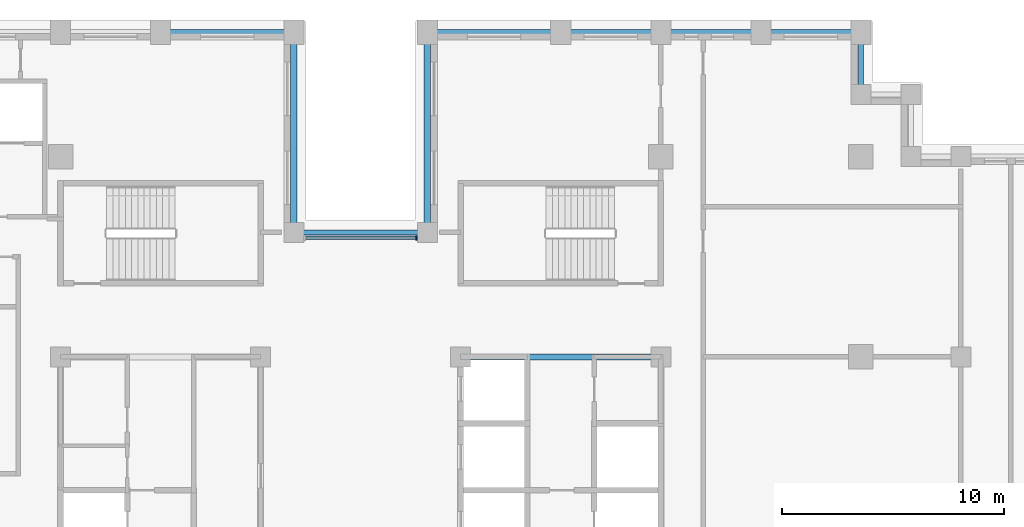
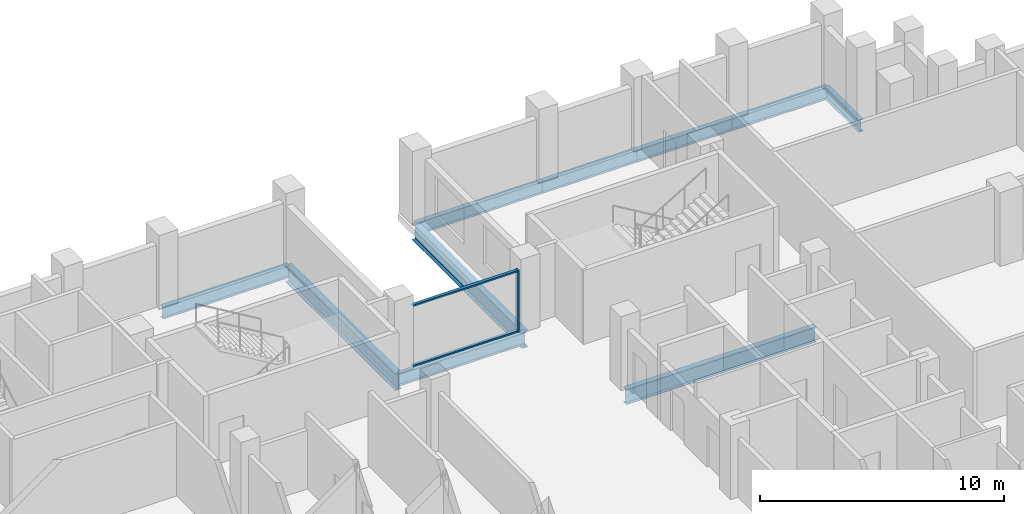
# One storey, part 4 of 15: 10 beams, 3 members, 1 element without a shape of its own.
"""IFC4 building model written with IfcOpenShell, lengths in metres."""

from ifc_helpers import new_model, si_unit, direction, frame, origin, origin_2d, place, context, subcontext, project, spatial, rectangle, i_section, extrude, material, layer, layer_set, material_profile, profile_set, type_object, element, aggregate, save


model = new_model("IFC4")

# Units and contexts
model_context = context("Model", 3, precision=1e-05, world=origin(), true_north=direction((0.0, 1.0)))
body_context = subcontext(model_context, "Body", "Model", "MODEL_VIEW")
ifc_project = project(units=[si_unit("LENGTHUNIT", "METRE"), si_unit("AREAUNIT", "SQUARE_METRE"), si_unit("VOLUMEUNIT", "CUBIC_METRE"), si_unit("PLANEANGLEUNIT", "RADIAN"), si_unit("MASSUNIT", "GRAM", prefix="KILO")], contexts=[model_context])

# Site, building, storey
site_placement = place(None, origin())
site = spatial("IfcSite", under=ifc_project, at=site_placement, CompositionType="ELEMENT")
building_placement = place(site_placement, origin())
building = spatial("IfcBuilding", under=site, at=building_placement, Name="Corbelhall Arena Tower", CompositionType="ELEMENT")
storey_placement = place(building_placement, frame((0.0, 0.0, 138.0)))
storey = spatial("IfcBuildingStorey", under=building, at=storey_placement, Name="L26", CompositionType="ELEMENT", Elevation=138.0)

# Curtain wall, members
ifc_material_1 = material(Name="Aluminium black anodised", Category="aluminium")
ifc_layer = layer(ifc_material_1, 0.199951171875)
ifc_layer_set = layer_set([ifc_layer], Name="EV-CW1 Slot back wall")
curtain_wall_type = type_object("IfcCurtainWallType", Name="EV-CW1 Slot back wall", PredefinedType="NOTDEFINED", material=ifc_layer_set)
curtain_wall_placement = place(storey_placement, origin())
curtain_wall = element("IfcCurtainWall", 1, at=curtain_wall_placement, inside=storey, type_object=curtain_wall_type, Name="Curtain wall CW1", PredefinedType="NOTDEFINED")
ifc_material_profile_1 = material_profile(ifc_material_1, rectangle(XDim=0.199951171875, YDim=0.074951171875, at=origin_2d()))
ifc_profile_set_1 = profile_set([ifc_material_profile_1], Name="Aluminium black anodised")
member_type_1 = type_object("IfcMemberType", Name="EV-CW1-MULLION", PredefinedType="MULLION", material=ifc_profile_set_1)
member_1_placement = place(storey_placement, frame((2.512451171875, 14.35009765625, 0.0), z_axis=(0.0, 0.0, 1.0), x_axis=(0.0, -1.0, 0.0)))
member_1 = element("IfcMember", 2, at=member_1_placement, type_object=member_type_1, Name="CW1 mullion 1", PredefinedType="MULLION", context=body_context, shape_type="SweptSolid", body=[
    extrude(rectangle(XDim=0.199951171875, YDim=0.074951171875, at=origin_2d()), origin(), (0.0, 0.0, 1.0), 3.10009765625),
])
ifc_material_profile_2 = material_profile(ifc_material_1, rectangle(XDim=0.14990234375, YDim=0.074951171875, at=origin_2d()))
ifc_profile_set_2 = profile_set([ifc_material_profile_2], Name="Aluminium black anodised")
member_type_2 = type_object("IfcMemberType", Name="EV-CW1-TRANSOM", PredefinedType="USERDEFINED", material=ifc_profile_set_2)
member_2_placement = place(storey_placement, frame((2.47509765625, 14.35009765625, 0.03759765625), z_axis=(-1.0, 0.0, 0.0), x_axis=(0.0, -1.0, 0.0)))
member_2 = element("IfcMember", 3, at=member_2_placement, type_object=member_type_2, Name="CW1 transom 1.1", ObjectType="transom", PredefinedType="USERDEFINED", context=body_context, shape_type="SweptSolid", body=[
    extrude(rectangle(XDim=0.14990234375, YDim=0.074951171875, at=origin_2d()), origin(), (0.0, 0.0, 1.0), 4.9501953125),
])
member_3_placement = place(storey_placement, frame((2.47509765625, 14.35009765625, 3.0625), z_axis=(-1.0, 0.0, 0.0), x_axis=(0.0, -1.0, 0.0)))
member_3 = element("IfcMember", 4, at=member_3_placement, type_object=member_type_2, Name="CW1 transom 1.2", ObjectType="transom", PredefinedType="USERDEFINED", context=body_context, shape_type="SweptSolid", body=[
    extrude(rectangle(XDim=0.14990234375, YDim=0.074951171875, at=origin_2d()), origin(), (0.0, 0.0, 1.0), 4.9501953125),
])
aggregate(curtain_wall, [member_1, member_2, member_3])

# Beams
ifc_material_2 = material(Name="Steel ASTM A992 Gr50", Category="steel")
ifc_material_profile_3 = material_profile(ifc_material_2, i_section(OverallWidth=0.2666015625, OverallDepth=0.761962890625, WebThickness=0.014404296875, FlangeThickness=0.021484375, at=origin_2d()))
ifc_profile_set_3 = profile_set([ifc_material_profile_3], Name="Steel ASTM A992 Gr50")
beam_type_1 = type_object("IfcBeamType", Name="ST-BEAM-W30x116", PredefinedType="BEAM", material=ifc_profile_set_3)
beam_1_placement = place(storey_placement, frame((4.5, 9.0, -0.680908203125), z_axis=(1.0, 0.0, 0.0), x_axis=(0.0, 1.0, 0.0)))
element("IfcBeam", 5, at=beam_1_placement, inside=storey, type_object=beam_type_1, Name="Beam CEE 12", PredefinedType="BEAM", context=body_context, shape_type="SweptSolid", body=[
    extrude(i_section(OverallWidth=0.2666015625, OverallDepth=0.761962890625, WebThickness=0.014404296875, FlangeThickness=0.021484375, at=origin_2d()), origin(), (0.0, 0.0, 1.0), 9.0),
])
ifc_material_profile_4 = material_profile(ifc_material_2, i_section(OverallWidth=0.22900390625, OverallDepth=0.612060546875, WebThickness=0.011962890625, FlangeThickness=0.01953125, at=origin_2d()))
ifc_profile_set_4 = profile_set([ifc_material_profile_4], Name="Steel ASTM A992 Gr50")
beam_type_2 = type_object("IfcBeamType", Name="ST-SPANDREL-W24x84", PredefinedType="SPANDREL", material=ifc_profile_set_4)
beam_2_placement = place(storey_placement, frame((3.0, 23.60009765625, -0.60595703125), z_axis=(1.0, 0.0, 0.0), x_axis=(0.0, 1.0, 0.0)))
element("IfcBeam", 6, at=beam_2_placement, inside=storey, type_object=beam_type_2, Name="Beam SP 17", PredefinedType="SPANDREL", context=body_context, shape_type="SweptSolid", body=[
    extrude(i_section(OverallWidth=0.22900390625, OverallDepth=0.612060546875, WebThickness=0.011962890625, FlangeThickness=0.01953125, at=origin_2d()), origin(), (0.0, 0.0, 1.0), 6.0),
])
for number, where, z_axis, x_axis, name in (
    (7, (9.0, 23.60009765625, -0.60595703125), (1.0, 0.0, 0.0), (0.0, 1.0, 0.0), "Beam SP 18"),
    (8, (13.5, 23.60009765625, -0.60595703125), (1.0, 0.0, 0.0), (0.0, 1.0, 0.0), "Beam SP 19"),
    (9, (18.0, 23.60009765625, -0.60595703125), (1.0, 0.0, 0.0), (0.0, 1.0, 0.0), "Beam SP 20"),
):
    element("IfcBeam", number, at=place(storey_placement, frame(where, z_axis=z_axis, x_axis=x_axis)), inside=storey, type_object=beam_type_2, Name=name, PredefinedType="SPANDREL", context=body_context, shape_type="SweptSolid", body=[
        extrude(i_section(OverallWidth=0.22900390625, OverallDepth=0.612060546875, WebThickness=0.011962890625, FlangeThickness=0.01953125, at=origin_2d()), origin(), (0.0, 0.0, 1.0), 4.5),
    ])
beam_3_placement = place(storey_placement, frame((22.5, 23.60009765625, -0.60595703125), z_axis=(0.0, -1.0, 0.0), x_axis=(1.0, 0.0, 0.0)))
element("IfcBeam", 10, at=beam_3_placement, inside=storey, type_object=beam_type_2, Name="Beam SP 21", PredefinedType="SPANDREL", context=body_context, shape_type="SweptSolid", body=[
    extrude(i_section(OverallWidth=0.22900390625, OverallDepth=0.612060546875, WebThickness=0.011962890625, FlangeThickness=0.01953125, at=origin_2d()), origin(), (0.0, 0.0, 1.0), 2.800048828125),
])
for number, where, z_axis, x_axis, name in (
    (11, (-9.0, 23.60009765625, -0.60595703125), (1.0, 0.0, 0.0), (0.0, 1.0, 0.0), "Beam SP 23"),
    (12, (-3.0, 14.60009765625, -0.60595703125), (1.0, 0.0, 0.0), (0.0, 1.0, 0.0), "Beam SP 40"),
):
    element("IfcBeam", number, at=place(storey_placement, frame(where, z_axis=z_axis, x_axis=x_axis)), inside=storey, type_object=beam_type_2, Name=name, PredefinedType="SPANDREL", context=body_context, shape_type="SweptSolid", body=[
        extrude(i_section(OverallWidth=0.22900390625, OverallDepth=0.612060546875, WebThickness=0.011962890625, FlangeThickness=0.01953125, at=origin_2d()), origin(), (0.0, 0.0, 1.0), 6.0),
    ])
ifc_material_profile_5 = material_profile(ifc_material_2, i_section(OverallWidth=0.2919921875, OverallDepth=0.845703125, WebThickness=0.015380859375, FlangeThickness=0.0244140625, at=origin_2d()))
ifc_profile_set_5 = profile_set([ifc_material_profile_5], Name="Steel ASTM A992 Gr50")
beam_type_3 = type_object("IfcBeamType", Name="ST-SPANDREL-W33x141", PredefinedType="SPANDREL", material=ifc_profile_set_5)
for number, where, z_axis, x_axis, name in (
    (13, (-3.0, 23.60009765625, -0.722900390625), (0.0, -1.0, 0.0), (1.0, 0.0, 0.0), "Beam SP 22"),
    (14, (3.0, 14.60009765625, -0.722900390625), (0.0, 1.0, 0.0), (-1.0, 0.0, 0.0), "Beam SP 39"),
):
    element("IfcBeam", number, at=place(storey_placement, frame(where, z_axis=z_axis, x_axis=x_axis)), inside=storey, type_object=beam_type_3, Name=name, PredefinedType="SPANDREL", context=body_context, shape_type="SweptSolid", body=[
        extrude(i_section(OverallWidth=0.2919921875, OverallDepth=0.845703125, WebThickness=0.015380859375, FlangeThickness=0.0244140625, at=origin_2d()), origin(), (0.0, 0.0, 1.0), 9.0),
    ])

save(model, "model.ifc")
